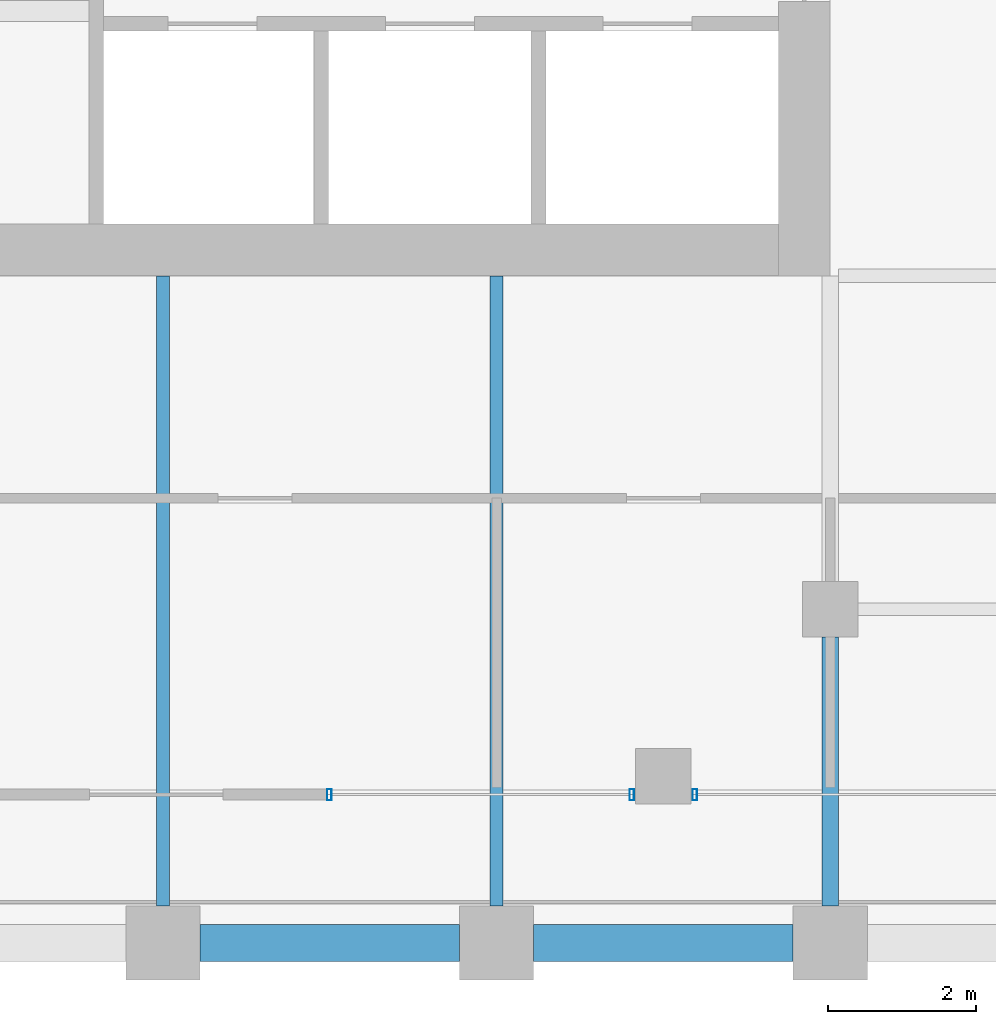
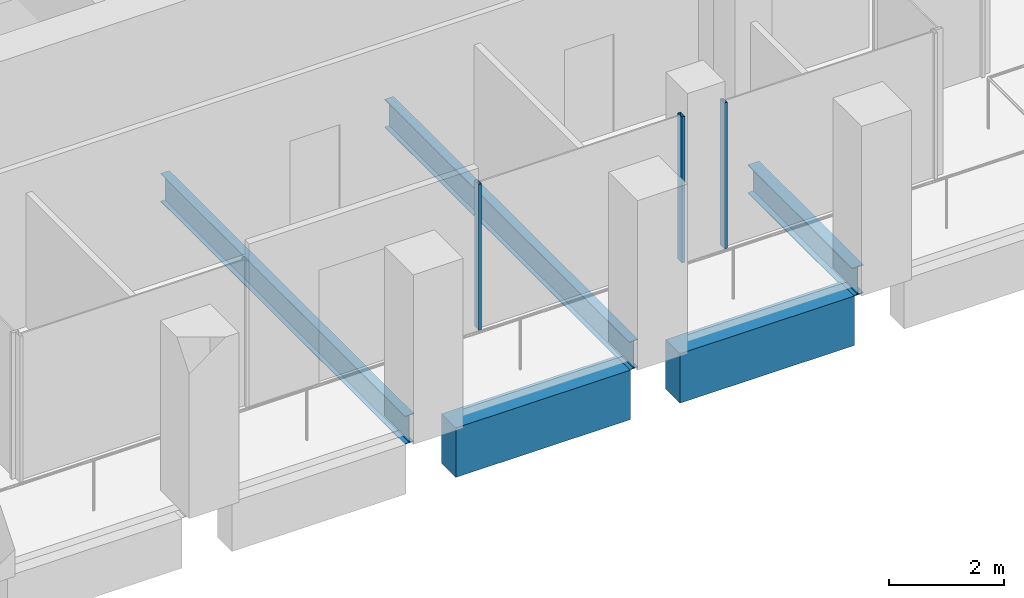
# One storey, part 31 of 46: 5 beams, 3 members, 2 elements without a shape of their own.
"""IFC4 building model written with IfcOpenShell, lengths in metres."""

import ifcopenshell
import ifcopenshell.guid

model = None  # the IFC model being written
_history = None  # IfcOwnerHistory: only IFC2X3 demands one
_inside = {}  # id of a spatial element -> (the spatial element, [elements in it])
_under = {}  # id of a project, library or spatial element -> (it, [spatial elements below it])
_declared = {}  # id of a project -> (the project, [libraries it declares])
_typed = {}  # id of a type object -> (the type object, [elements of that type])
_made_of = {}  # id of a material, layer set ... -> (it, [elements and type objects made of it])


def new_model(schema):
    """Start an empty IFC model of exactly this schema.

    Asked for "IFC4X3", IfcOpenShell would pick the latest addendum, in which some entities
    have other attributes; the version numbers below select the first issue.
    IFC2X3 requires an IfcOwnerHistory on every rooted entity: one is made here for all.
    """
    global model, _history
    if schema == "IFC4X3":
        model = ifcopenshell.file(schema_version=(4, 3, 0, 0))
    else:
        model = ifcopenshell.file(schema=schema)
    _inside.clear()
    _under.clear()
    _declared.clear()
    _typed.clear()
    _made_of.clear()
    _history = None
    if model.schema == "IFC2X3":
        org = make("IfcOrganization", Name="unknown")
        user = make(
            "IfcPersonAndOrganization",
            ThePerson=make("IfcPerson", FamilyName="unknown"),
            TheOrganization=org,
        )
        app = make(
            "IfcApplication",
            ApplicationDeveloper=org,
            Version="unknown",
            ApplicationFullName="unknown",
            ApplicationIdentifier="unknown",
        )
        _history = make(
            "IfcOwnerHistory",
            OwningUser=user,
            OwningApplication=app,
            ChangeAction="ADDED",
            CreationDate=0,
        )
    return model


def make(cls, **values):
    """One entity of the class cls with the attributes given. An attribute that is None is left unset."""
    return model.create_entity(
        cls, **{name: value for name, value in values.items() if value is not None}
    )


def rooted(cls, **values):
    """An entity with a GlobalId (a new one), such as an element, a storey or a relation."""
    return make(cls, GlobalId=ifcopenshell.guid.new(), OwnerHistory=_history, **values)


def si_unit(unit_type, name, prefix=None):
    """IfcSIUnit, for example si_unit("LENGTHUNIT", "METRE", prefix="MILLI")."""
    return make("IfcSIUnit", UnitType=unit_type, Prefix=prefix, Name=name)


def assignment(units):
    """IfcUnitAssignment: the units of a project."""
    return None if units is None else make("IfcUnitAssignment", Units=units)


def point(xyz):
    """IfcCartesianPoint."""
    return None if xyz is None else make("IfcCartesianPoint", Coordinates=xyz)


def direction(xyz):
    """IfcDirection."""
    return None if xyz is None else make("IfcDirection", DirectionRatios=xyz)


def frame(location, z_axis=None, x_axis=None):
    """IfcAxis2Placement3D, a coordinate frame: its origin and axes. An axis left out is left unset."""
    return make(
        "IfcAxis2Placement3D",
        Location=point(location),
        Axis=direction(z_axis),
        RefDirection=direction(x_axis),
    )


def frame_2d(location, x_axis=None):
    """IfcAxis2Placement2D, a coordinate frame in the plane: its origin and x axis."""
    return make(
        "IfcAxis2Placement2D", Location=point(location), RefDirection=direction(x_axis)
    )


def origin():
    """The frame at (0, 0, 0) with its axes left unset."""
    return frame((0.0, 0.0, 0.0))


def origin_2d():
    """The frame at (0, 0) in the plane with its x axis left unset."""
    return frame_2d((0.0, 0.0))


def place(relative_to, where):
    """IfcLocalPlacement: puts the frame where relative to a parent placement (None: the world)."""
    return make(
        "IfcLocalPlacement", PlacementRelTo=relative_to, RelativePlacement=where
    )


def context(
    kind, dimensions, precision=None, world=None, true_north=None, identifier=None
):
    """IfcGeometricRepresentationContext, for example the 3D "Model" context."""
    return make(
        "IfcGeometricRepresentationContext",
        ContextIdentifier=identifier,
        ContextType=kind,
        CoordinateSpaceDimension=dimensions,
        Precision=precision,
        WorldCoordinateSystem=world,
        TrueNorth=true_north,
    )


def subcontext(parent, identifier, kind, view, scale=None):
    """IfcGeometricRepresentationSubContext, for example "Body" below "Model"."""
    return make(
        "IfcGeometricRepresentationSubContext",
        ContextIdentifier=identifier,
        ContextType=kind,
        ParentContext=parent,
        TargetScale=scale,
        TargetView=view,
    )


def project(units=None, contexts=None):
    """IfcProject with its units and contexts."""
    return rooted(
        "IfcProject",
        Name="project",
        RepresentationContexts=contexts,
        UnitsInContext=assignment(units),
    )


def spatial(cls, under=None, at=None, **own):
    """A site, building, storey or space (cls), placed at a placement, below another one or the project."""
    s = rooted(cls, ObjectPlacement=at, **own)
    if under is not None:
        _under.setdefault(under.id(), (under, []))[1].append(s)
    return s


def profile(cls, at=None, kind="AREA", **sizes):
    """A parametric profile (cls). Its sizes go by their IFC names, for example OverallWidth=200.0."""
    return make(cls, ProfileType=kind, Position=at, **sizes)


def rectangle(**sizes):
    """IfcRectangleProfileDef."""
    return profile("IfcRectangleProfileDef", **sizes)


def hollow_rectangle(**sizes):
    """IfcRectangleHollowProfileDef."""
    return profile("IfcRectangleHollowProfileDef", **sizes)


def i_section(**sizes):
    """IfcIShapeProfileDef."""
    return profile("IfcIShapeProfileDef", **sizes)


def extrude(swept, where, along, depth):
    """IfcExtrudedAreaSolid: the profile swept, set in the frame where, extruded along a direction by depth."""
    return make(
        "IfcExtrudedAreaSolid",
        SweptArea=swept,
        Position=where,
        ExtrudedDirection=direction(along),
        Depth=depth,
    )


def shape(context_of_items, identifier, shape_type, items):
    """IfcShapeRepresentation: the items that make up one representation, for example the "Body"."""
    return make(
        "IfcShapeRepresentation",
        ContextOfItems=context_of_items,
        RepresentationIdentifier=identifier,
        RepresentationType=shape_type,
        Items=items,
    )


def material(Name=None, Category=None):
    """IfcMaterial."""
    return make("IfcMaterial", Name=Name, Category=Category)


def material_profile(
    of_material, cross_section, Name=None, Category=None, Priority=None
):
    """IfcMaterialProfile: a cross section and its material."""
    return make(
        "IfcMaterialProfile",
        Name=Name,
        Material=of_material,
        Profile=cross_section,
        Priority=Priority,
        Category=Category,
    )


def profile_set(profiles, Name=None, composite=None):
    """IfcMaterialProfileSet."""
    return make(
        "IfcMaterialProfileSet",
        Name=Name,
        MaterialProfiles=profiles,
        CompositeProfile=composite,
    )


def made_of(thing, what):
    """Note that an element or type object is made of a material, layer set ...; save() writes the relation."""
    if what is not None:
        _made_of.setdefault(what.id(), (what, []))[1].append(thing)
    return thing


def type_object(cls, material=None, **own):
    """A type object (cls), such as IfcWallType, which elements share."""
    return made_of(rooted(cls, **own), material)


def element(
    cls,
    number,
    at=None,
    inside=None,
    cuts=None,
    type_object=None,
    material=None,
    context=None,
    identifier="Body",
    shape_type=None,
    held_by="IfcProductDefinitionShape",
    body=None,
    shapes=None,
    **own,
):
    """One element of the class cls, such as IfcWall. Its Tag is "e" and its number.

    at: its placement. inside: the storey or other place that contains it. cuts: it is an
    opening in that element (IfcRelVoidsElement). A single representation is given by context,
    identifier, shape_type and body (its items); several are given by shapes. held_by: the class
    of the entity that holds the representations. save() writes the other relations.
    """
    e = rooted(cls, Tag="e%d" % number, ObjectPlacement=at, **own)
    if body is not None:
        shapes = [shape(context, identifier, shape_type, body)]
    if shapes is not None:
        e.Representation = make(held_by, Representations=shapes)
    if inside is not None:
        _inside.setdefault(inside.id(), (inside, []))[1].append(e)
    if cuts is not None:
        rooted(
            "IfcRelVoidsElement", RelatingBuildingElement=cuts, RelatedOpeningElement=e
        )
    if type_object is not None:
        _typed.setdefault(type_object.id(), (type_object, []))[1].append(e)
    return made_of(e, material)


def aggregate(whole, parts):
    """IfcRelAggregates: a whole, such as a stair, and the parts it consists of."""
    return rooted("IfcRelAggregates", RelatingObject=whole, RelatedObjects=parts)


def save(model, path):
    """Write the relations noted so far, then the file.

    IfcRelAggregates (storeys below a building ...), IfcRelContainedInSpatialStructure (elements
    in a storey), IfcRelDefinesByType, IfcRelAssociatesMaterial and IfcRelDeclares: one each for
    every whole, place, type object, material and project.
    """
    for whole, parts in _under.values():
        aggregate(whole, parts)
    for where, things in _inside.values():
        rooted(
            "IfcRelContainedInSpatialStructure",
            RelatedElements=things,
            RelatingStructure=where,
        )
    for kind, things in _typed.values():
        rooted("IfcRelDefinesByType", RelatedObjects=things, RelatingType=kind)
    for what, things in _made_of.values():
        rooted("IfcRelAssociatesMaterial", RelatedObjects=things, RelatingMaterial=what)
    for by, libraries in _declared.values():
        rooted("IfcRelDeclares", RelatingContext=by, RelatedDefinitions=libraries)
    model.write(path)


model = new_model("IFC4")

# Units and contexts
model_context = context("Model", 3, precision=1e-05, world=origin(), true_north=direction((0.0, 1.0)))
body_context = subcontext(model_context, "Body", "Model", "MODEL_VIEW")
ifc_project = project(units=[si_unit("LENGTHUNIT", "METRE"), si_unit("AREAUNIT", "SQUARE_METRE"), si_unit("VOLUMEUNIT", "CUBIC_METRE"), si_unit("PLANEANGLEUNIT", "RADIAN"), si_unit("MASSUNIT", "GRAM", prefix="KILO")], contexts=[model_context])

# Site, building, storey
site_placement = place(None, origin())
site = spatial("IfcSite", under=ifc_project, at=site_placement, CompositionType="ELEMENT")
building_placement = place(site_placement, origin())
building = spatial("IfcBuilding", under=site, at=building_placement, Name="Altepetl Exchange Towers", CompositionType="ELEMENT")
storey_placement = place(building_placement, frame((0.0, 0.0, 124.39990234375)))
storey = spatial("IfcBuildingStorey", under=building, at=storey_placement, Name="L30", CompositionType="ELEMENT", Elevation=124.39990234375)

# Beams
ifc_material_1 = material(Name="Steel S355", Category="steel")
ifc_material_profile_1 = material_profile(ifc_material_1, i_section(OverallWidth=0.177978515625, OverallDepth=0.59912109375, WebThickness=0.010009765625, FlangeThickness=0.0126953125, at=origin_2d()), Name="W24X55")
ifc_profile_set_1 = profile_set([ifc_material_profile_1], Name="Steel S355")
beam_type_1 = type_object("IfcBeamType", Name="Floor beam W24X55", PredefinedType="BEAM", material=ifc_profile_set_1)
for number, where, z_axis, x_axis, name in (
    (1, (108.0, 27.5, -0.449462890625), (0.0, 1.0, 0.0), (-1.0, 0.0, 0.0), "bm:B:L30:006"),
    (2, (112.5, 27.5, -0.449462890625), (0.0, 1.0, 0.0), (-1.0, 0.0, 0.0), "bm:B:L30:007"),
):
    element("IfcBeam", number, at=place(storey_placement, frame(where, z_axis=z_axis, x_axis=x_axis)), inside=storey, type_object=beam_type_1, Name=name, PredefinedType="BEAM", context=body_context, shape_type="SweptSolid", body=[
        extrude(i_section(OverallWidth=0.177978515625, OverallDepth=0.59912109375, WebThickness=0.010009765625, FlangeThickness=0.0126953125, at=origin_2d()), origin(), (0.0, 0.0, 1.0), 8.5),
    ])
ifc_material_profile_2 = material_profile(ifc_material_1, i_section(OverallWidth=0.22802734375, OverallDepth=0.60791015625, WebThickness=0.01123046875, FlangeThickness=0.017333984375, at=origin_2d()), Name="W24X76")
ifc_profile_set_2 = profile_set([ifc_material_profile_2], Name="Steel S355")
beam_type_2 = type_object("IfcBeamType", Name="Girder W24X76", PredefinedType="BEAM", material=ifc_profile_set_2)
beam_placement = place(storey_placement, frame((117.0, 31.125, -0.453857421875), z_axis=(0.0, -1.0, 0.0), x_axis=(1.0, 0.0, 0.0)))
element("IfcBeam", 3, at=beam_placement, inside=storey, type_object=beam_type_2, Name="gd:B:L30:001", PredefinedType="BEAM", context=body_context, shape_type="SweptSolid", body=[
    extrude(i_section(OverallWidth=0.22802734375, OverallDepth=0.60791015625, WebThickness=0.01123046875, FlangeThickness=0.017333984375, at=origin_2d()), origin(), (0.0, 0.0, 1.0), 3.625),
])

# Curtain wall, members
ifc_material_2 = material(Name="Aluminium 6063-T6 glazing", Category="aluminium")
curtain_wall_type = type_object("IfcCurtainWallType", Name="Loggia glazing system", PredefinedType="NOTDEFINED", material=ifc_material_2)
curtain_wall_1_placement = place(storey_placement, origin())
curtain_wall_1 = element("IfcCurtainWall", 4, at=curtain_wall_1_placement, inside=storey, type_object=curtain_wall_type, Name="CW1 run", PredefinedType="NOTDEFINED")
ifc_material_3 = material(Name="Aluminium 6063-T6", Category="aluminium")
ifc_material_profile_3 = material_profile(ifc_material_3, hollow_rectangle(XDim=0.06005859375, YDim=0.14990234375, WallThickness=0.0029296875, at=origin_2d()), Name="Mullion 60x150 aluminium")
ifc_profile_set_3 = profile_set([ifc_material_profile_3], Name="Aluminium 6063-T6")
member_type = type_object("IfcMemberType", Name="Mullion 60x150 aluminium", PredefinedType="MULLION", material=ifc_profile_set_3)
member_1_placement = place(storey_placement, frame((110.242431640625, 29.0, 0.0)))
member_1 = element("IfcMember", 5, at=member_1_placement, type_object=member_type, Name="MU1 mullion", PredefinedType="MULLION", context=body_context, shape_type="SweptSolid", body=[
    extrude(hollow_rectangle(XDim=0.06005859375, YDim=0.14990234375, WallThickness=0.0029296875, at=origin_2d()), origin(), (0.0, 0.0, 1.0), 3.10009765625),
])
member_2_placement = place(storey_placement, frame((114.324951171875, 29.0, 0.0)))
member_2 = element("IfcMember", 6, at=member_2_placement, type_object=member_type, Name="MU1 mullion", PredefinedType="MULLION", context=body_context, shape_type="SweptSolid", body=[
    extrude(hollow_rectangle(XDim=0.06005859375, YDim=0.14990234375, WallThickness=0.0029296875, at=origin_2d()), origin(), (0.0, 0.0, 1.0), 3.10009765625),
])
aggregate(curtain_wall_1, [member_1, member_2])

# Curtain wall, member
curtain_wall_2_placement = place(storey_placement, origin())
curtain_wall_2 = element("IfcCurtainWall", 7, at=curtain_wall_2_placement, inside=storey, type_object=curtain_wall_type, Name="CW1 run", PredefinedType="NOTDEFINED")
member_3_placement = place(storey_placement, frame((115.175048828125, 29.0, 0.0)))
member_3 = element("IfcMember", 8, at=member_3_placement, type_object=member_type, Name="MU1 mullion", PredefinedType="MULLION", context=body_context, shape_type="SweptSolid", body=[
    extrude(hollow_rectangle(XDim=0.06005859375, YDim=0.14990234375, WallThickness=0.0029296875, at=origin_2d()), origin(), (0.0, 0.0, 1.0), 3.10009765625),
])
aggregate(curtain_wall_2, [member_3])

# Beams
ifc_material_4 = material(Name="Concrete C50/60 precast with tezontle facing", Category="concrete")
ifc_material_profile_4 = material_profile(ifc_material_4, rectangle(XDim=0.5, YDim=1.050048828125, at=origin_2d()), Name="500 x 1050")
ifc_profile_set_4 = profile_set([ifc_material_profile_4], Name="Concrete C50/60 precast with tezontle facing")
beam_type_3 = type_object("IfcBeamType", Name="Spandrel beam 500x1050 tezontle", PredefinedType="SPANDREL", material=ifc_profile_set_4)
for number, where, z_axis, x_axis, name in (
    (9, (108.5, 27.0, -0.6748046875), (1.0, 0.0, 0.0), (0.0, 1.0, 0.0), "sp:B:L30:002"),
    (10, (113.0, 27.0, -0.6748046875), (1.0, 0.0, 0.0), (0.0, 1.0, 0.0), "sp:B:L30:003"),
):
    element("IfcBeam", number, at=place(storey_placement, frame(where, z_axis=z_axis, x_axis=x_axis)), inside=storey, type_object=beam_type_3, Name=name, PredefinedType="SPANDREL", context=body_context, shape_type="SweptSolid", body=[
        extrude(rectangle(XDim=0.5, YDim=1.050048828125, at=origin_2d()), origin(), (0.0, 0.0, 1.0), 3.5),
    ])

save(model, "model.ifc")
